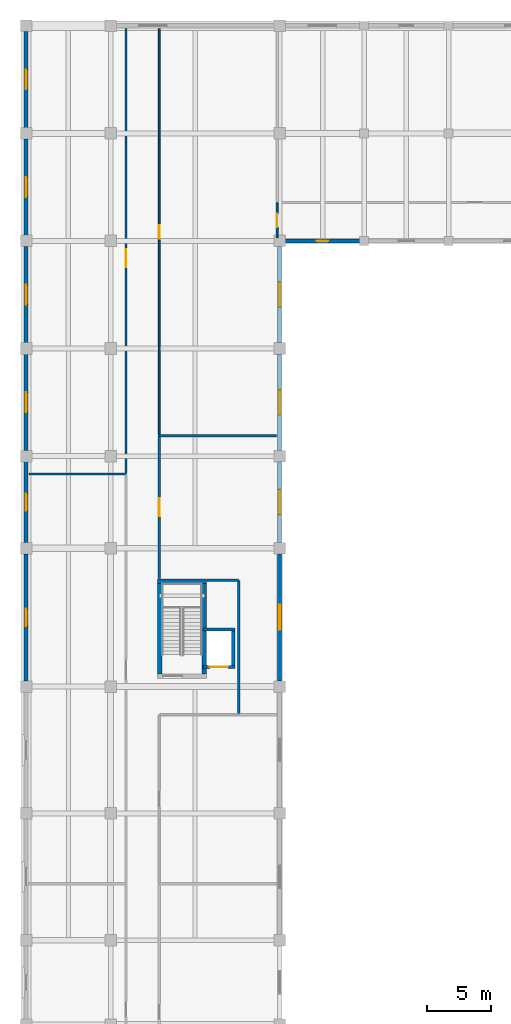
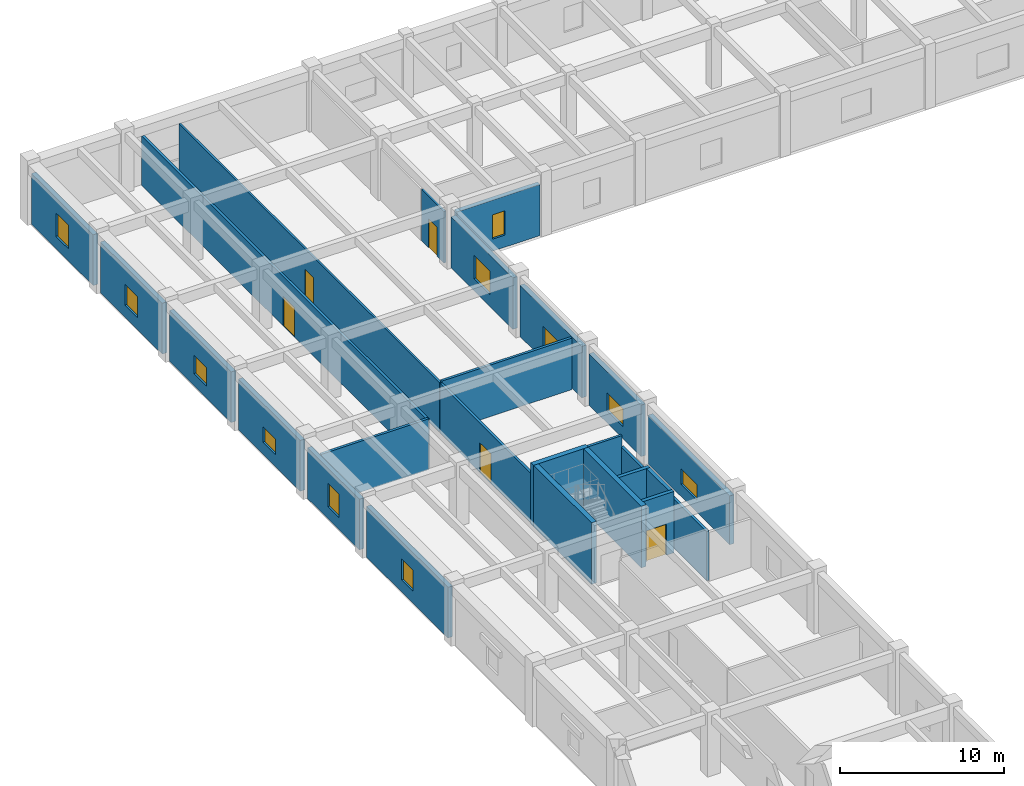
# One storey, part 52 of 68: 25 walls, 11 windows, 5 doors, 16 openings.
"""IFC4 building model written with IfcOpenShell, lengths in metres."""

from ifc_helpers import new_model, si_unit, direction, frame, frame_2d, origin, place, context, subcontext, project, spatial, rectangle, extrude, material, layer, layer_set, type_object, element, fill, save


model = new_model("IFC4")

# Units and contexts
model_context = context("Model", 3, precision=1e-05, world=origin(), true_north=direction((0.0, 1.0)))
body_context = subcontext(model_context, "Body", "Model", "MODEL_VIEW")
ifc_project = project(units=[si_unit("LENGTHUNIT", "METRE"), si_unit("AREAUNIT", "SQUARE_METRE"), si_unit("VOLUMEUNIT", "CUBIC_METRE"), si_unit("PLANEANGLEUNIT", "RADIAN"), si_unit("MASSUNIT", "GRAM", prefix="KILO")], contexts=[model_context])

# Site, building, storey
site_placement = place(None, origin())
site = spatial("IfcSite", under=ifc_project, at=site_placement, CompositionType="ELEMENT")
building_placement = place(site_placement, origin())
building = spatial("IfcBuilding", under=site, at=building_placement, Name="Miralva Faculty of Natural Sciences", CompositionType="ELEMENT")
storey_placement = place(building_placement, frame((0.0, 0.0, 5.39990234375)))
storey = spatial("IfcBuildingStorey", under=building, at=storey_placement, Name="L01", CompositionType="ELEMENT", Elevation=5.39990234375)

# Walls
ifc_material_1 = material(Name="Concrete C50/60", Category="concrete")
ifc_layer_1 = layer(ifc_material_1, 0.35009765625, Name="WL-CW02")
ifc_layer_set_1 = layer_set([ifc_layer_1], Name="Concrete C50/60")
wall_type_1 = type_object("IfcWallType", Name="WL-CW02", PredefinedType="SHEAR", material=ifc_layer_set_1)
wall_1_placement = place(storey_placement, frame((13.25, 73.625, 0.0), z_axis=(0.0, 0.0, 1.0), x_axis=(1.0, 0.0, 0.0)))
element("IfcWall", 1, at=wall_1_placement, inside=storey, type_object=wall_type_1, Name="Core C2 shear wall north L01", PredefinedType="SHEAR", context=body_context, shape_type="SweptSolid", body=[
    extrude(rectangle(XDim=3.85009765625, YDim=0.35009765625, at=frame_2d((1.925048828125, 0.0))), origin(), (0.0, 0.0, 1.0), 4.580078125),
])
for number, where, z_axis, x_axis, name in (
    (2, (13.425048828125, 66.39990234375, 0.0), (0.0, 0.0, 1.0), (0.0, 1.0, 0.0), "Core C2 shear wall west L01"),
    (3, (16.925048828125, 66.39990234375, 0.0), (0.0, 0.0, 1.0), (0.0, 1.0, 0.0), "Core C2 shear wall east L01"),
):
    element("IfcWall", number, at=place(storey_placement, frame(where, z_axis=z_axis, x_axis=x_axis)), inside=storey, type_object=wall_type_1, Name=name, PredefinedType="SHEAR", context=body_context, shape_type="SweptSolid", body=[
        extrude(rectangle(XDim=7.050048828125, YDim=0.35009765625, at=frame_2d((3.52490234375, 0.0))), origin(), (0.0, 0.0, 1.0), 4.580078125),
    ])

# Wall, opening, door
ifc_material_2 = material(Name="Concrete C40/50", Category="concrete")
ifc_layer_2 = layer(ifc_material_2, 0.25, Name="WL-CW04")
ifc_layer_set_2 = layer_set([ifc_layer_2], Name="Concrete C40/50")
wall_type_2 = type_object("IfcWallType", Name="WL-CW04", PredefinedType="SHEAR", material=ifc_layer_set_2)
wall_2_placement = place(storey_placement, frame((16.804931640625, 66.929931640625, 0.0), z_axis=(0.0, 0.0, 1.0), x_axis=(1.0, 0.0, 0.0)))
wall_2 = element("IfcWall", 4, at=wall_2_placement, inside=storey, type_object=wall_type_2, Name="Lift L-04 hoistway front wall L01", PredefinedType="SHEAR", context=body_context, shape_type="SweptSolid", body=[
    extrude(rectangle(XDim=2.489990234375, YDim=0.25, at=frame_2d((1.2451171875, 0.0))), origin(), (0.0, 0.0, 1.0), 4.56005859375),
])
opening_1_placement = place(wall_2_placement, frame((0.544921875, 0.0, 0.0)))
opening_1 = element("IfcOpeningElement", 5, at=opening_1_placement, cuts=wall_2, Name="Opening LD-04", PredefinedType="OPENING", context=body_context, shape_type="SweptSolid", body=[
    extrude(rectangle(XDim=1.39990234375, YDim=2.300048828125, at=frame_2d((0.699951171875, 1.14990234375))), frame((0.0, 0.135009765625, 0.0), z_axis=(0.0, -1.0, 0.0), x_axis=(1.0, 0.0, 0.0)), (0.0, 0.0, 1.0), 0.27001953125),
])
ifc_material_3 = material(Name="Galvanised steel", Category="steel")
door_type_1 = type_object("IfcDoorType", Name="DR-LD04", OperationType="DOUBLE_DOOR_SLIDING", PredefinedType="DOOR", material=ifc_material_3)
door_1_placement = place(opening_1_placement, frame((1.39990234375, 0.0, 0.0), z_axis=(0.0, 0.0, 1.0), x_axis=(-1.0, 0.0, 0.0)))
door_1 = element("IfcDoor", 6, at=door_1_placement, inside=storey, type_object=door_type_1, Name="Lift L-04 sliding landing door L01", OperationType="DOUBLE_DOOR_SLIDING", OverallHeight=2.300048828125, OverallWidth=1.39990234375, PredefinedType="DOOR", context=body_context, shape_type="SweptSolid", body=[
    extrude(rectangle(XDim=1.39990234375, YDim=2.300048828125, at=frame_2d((0.699951171875, 1.14990234375))), frame((0.0, 0.02490234375, 0.0), z_axis=(0.0, -1.0, 0.0), x_axis=(1.0, 0.0, 0.0)), (0.0, 0.0, 1.0), 0.050048828125),
])
fill(opening_1, door_1)

# Walls
wall_3_placement = place(storey_placement, frame((16.804931640625, 69.8701171875, 0.0), z_axis=(0.0, 0.0, 1.0), x_axis=(1.0, 0.0, 0.0)))
element("IfcWall", 7, at=wall_3_placement, inside=storey, type_object=wall_type_2, Name="Lift L-04 hoistway rear wall L01", PredefinedType="SHEAR", context=body_context, shape_type="SweptSolid", body=[
    extrude(rectangle(XDim=2.489990234375, YDim=0.25, at=frame_2d((1.2451171875, 0.0))), origin(), (0.0, 0.0, 1.0), 4.56005859375),
])
wall_4_placement = place(storey_placement, frame((19.169921875, 67.054931640625, 0.0), z_axis=(0.0, 0.0, 1.0), x_axis=(0.0, 1.0, 0.0)))
element("IfcWall", 8, at=wall_4_placement, inside=storey, type_object=wall_type_2, Name="Lift L-04 hoistway E wall L01", PredefinedType="SHEAR", context=body_context, shape_type="SweptSolid", body=[
    extrude(rectangle(XDim=2.690185546875, YDim=0.25, at=frame_2d((1.34521484375, 0.0))), origin(), (0.0, 0.0, 1.0), 4.56005859375),
])
ifc_material_4 = material(Name="Gypsum plasterboard")
ifc_layer_3 = layer(ifc_material_4, 0.179931640625, Name="WL-PT02")
ifc_layer_set_3 = layer_set([ifc_layer_3], Name="Gypsum plasterboard")
wall_type_3 = type_object("IfcWallType", Name="WL-PT02", PredefinedType="PARTITIONING", material=ifc_layer_set_3)
wall_5_placement = place(storey_placement, frame((3.22998046875, 82.0, 0.0), z_axis=(0.0, 0.0, 1.0), x_axis=(1.0, 0.0, 0.0)))
element("IfcWall", 9, at=wall_5_placement, inside=storey, type_object=wall_type_3, Name="Interior partition PT-02 L01-224", PredefinedType="PARTITIONING", context=body_context, shape_type="SweptSolid", body=[
    extrude(rectangle(XDim=7.5400390625, YDim=0.179931640625, at=frame_2d((3.77001953125, 0.0))), origin(), (0.0, 0.0, 1.0), 3.775146484375),
])
wall_6_placement = place(storey_placement, frame((13.429931640625, 85.0, 0.0), z_axis=(0.0, 0.0, 1.0), x_axis=(1.0, 0.0, 0.0)))
element("IfcWall", 10, at=wall_6_placement, inside=storey, type_object=wall_type_3, Name="Interior partition PT-02 L01-226", PredefinedType="PARTITIONING", context=body_context, shape_type="SweptSolid", body=[
    extrude(rectangle(XDim=9.14013671875, YDim=0.179931640625, at=frame_2d((4.570068359375, 0.0))), origin(), (0.0, 0.0, 1.0), 3.8251953125),
])

# Wall, opening, door
wall_7_placement = place(storey_placement, frame((13.39990234375, 73.853271484375, 0.0), z_axis=(0.0, 0.0, 1.0), x_axis=(0.0, 1.0, 0.0)))
wall_7 = element("IfcWall", 11, at=wall_7_placement, inside=storey, type_object=wall_type_3, Name="Interior partition PT-02 L01-227", PredefinedType="PARTITIONING", context=body_context, shape_type="SweptSolid", body=[
    extrude(rectangle(XDim=11.11669921875, YDim=0.179931640625, at=frame_2d((5.558349609375, 0.0))), origin(), (0.0, 0.0, 1.0), 3.675048828125),
])
opening_2_placement = place(wall_7_placement, frame((4.8583984375, 0.0, 0.0)))
opening_2 = element("IfcOpeningElement", 12, at=opening_2_placement, cuts=wall_7, Name="Opening D-14", PredefinedType="OPENING", context=body_context, shape_type="SweptSolid", body=[
    extrude(rectangle(XDim=1.39990234375, YDim=2.199951171875, at=frame_2d((0.699951171875, 1.10009765625))), frame((0.0, 0.099853515625, 0.0), z_axis=(0.0, -1.0, 0.0), x_axis=(1.0, 0.0, 0.0)), (0.0, 0.0, 1.0), 0.199951171875),
])
door_type_2 = type_object("IfcDoorType", Name="DR-DI14", OperationType="DOUBLE_DOOR_SINGLE_SWING", PredefinedType="DOOR", material=ifc_material_3)
door_2_placement = place(opening_2_placement, origin())
door_2 = element("IfcDoor", 13, at=door_2_placement, inside=storey, type_object=door_type_2, Name="Interior door D-14 L01-85", OperationType="DOUBLE_DOOR_SINGLE_SWING", OverallHeight=2.199951171875, OverallWidth=1.39990234375, PredefinedType="DOOR", context=body_context, shape_type="SweptSolid", body=[
    extrude(rectangle(XDim=1.39990234375, YDim=2.199951171875, at=frame_2d((0.699951171875, 1.10009765625))), frame((0.0, 0.02490234375, 0.0), z_axis=(0.0, -1.0, 0.0), x_axis=(1.0, 0.0, 0.0)), (0.0, 0.0, 1.0), 0.050048828125),
])
fill(opening_2, door_2)

# Walls
wall_8_placement = place(storey_placement, frame((19.60009765625, 63.22998046875, 0.0), z_axis=(0.0, 0.0, 1.0), x_axis=(0.0, 1.0, 0.0)))
element("IfcWall", 14, at=wall_8_placement, inside=storey, type_object=wall_type_3, Name="Interior partition PT-02 L01-228", PredefinedType="PARTITIONING", context=body_context, shape_type="SweptSolid", body=[
    extrude(rectangle(XDim=10.43994140625, YDim=0.179931640625, at=frame_2d((5.219970703125, 0.0))), origin(), (0.0, 0.0, 1.0), 3.655029296875),
])
wall_9_placement = place(storey_placement, frame((17.140380859375, 73.699951171875, 0.0), z_axis=(0.0, 0.0, 1.0), x_axis=(1.0, 0.0, 0.0)))
element("IfcWall", 15, at=wall_9_placement, inside=storey, type_object=wall_type_3, Name="Interior partition PT-02 L01-229", PredefinedType="PARTITIONING", context=body_context, shape_type="SweptSolid", body=[
    extrude(rectangle(XDim=2.4296875, YDim=0.179931640625, at=frame_2d((1.21484375, 0.0))), origin(), (0.0, 0.0, 1.0), 4.47998046875),
])

# Wall, opening, door
wall_10_placement = place(storey_placement, frame((10.800048828125, 82.030029296875, 0.0), z_axis=(0.0, 0.0, 1.0), x_axis=(0.0, 1.0, 0.0)))
wall_10 = element("IfcWall", 16, at=wall_10_placement, inside=storey, type_object=wall_type_3, Name="Interior partition PT-02 L01-230", PredefinedType="PARTITIONING", context=body_context, shape_type="SweptSolid", body=[
    extrude(rectangle(XDim=34.739990234375, YDim=0.179931640625, at=frame_2d((17.3701171875, 0.0))), origin(), (0.0, 0.0, 1.0), 3.675048828125),
])
opening_3_placement = place(wall_10_placement, frame((16.1298828125, 0.0, 0.0)))
opening_3 = element("IfcOpeningElement", 17, at=opening_3_placement, cuts=wall_10, Name="Opening D-14", PredefinedType="OPENING", context=body_context, shape_type="SweptSolid", body=[
    extrude(rectangle(XDim=1.39990234375, YDim=2.199951171875, at=frame_2d((0.699951171875, 1.10009765625))), frame((0.0, 0.099853515625, 0.0), z_axis=(0.0, -1.0, 0.0), x_axis=(1.0, 0.0, 0.0)), (0.0, 0.0, 1.0), 0.199951171875),
])
door_3_placement = place(opening_3_placement, origin())
door_3 = element("IfcDoor", 18, at=door_3_placement, inside=storey, type_object=door_type_2, Name="Interior door D-14 L01-86", OperationType="DOUBLE_DOOR_SINGLE_SWING", OverallHeight=2.199951171875, OverallWidth=1.39990234375, PredefinedType="DOOR", context=body_context, shape_type="SweptSolid", body=[
    extrude(rectangle(XDim=1.39990234375, YDim=2.199951171875, at=frame_2d((0.699951171875, 1.10009765625))), frame((0.0, 0.02490234375, 0.0), z_axis=(0.0, -1.0, 0.0), x_axis=(1.0, 0.0, 0.0)), (0.0, 0.0, 1.0), 0.050048828125),
])
fill(opening_3, door_3)

ifc_layer_4 = layer(ifc_material_4, 0.139892578125, Name="WL-PT04")
ifc_layer_set_4 = layer_set([ifc_layer_4], Name="Gypsum plasterboard")
wall_type_4 = type_object("IfcWallType", Name="WL-PT04", PredefinedType="PARTITIONING", material=ifc_layer_set_4)
wall_11_placement = place(storey_placement, frame((13.39990234375, 85.030029296875, 0.0), z_axis=(0.0, 0.0, 1.0), x_axis=(0.0, 1.0, 0.0)))
wall_11 = element("IfcWall", 19, at=wall_11_placement, inside=storey, type_object=wall_type_4, Name="Interior partition PT-04 L01-231", PredefinedType="PARTITIONING", context=body_context, shape_type="SweptSolid", body=[
    extrude(rectangle(XDim=31.739990234375, YDim=0.139892578125, at=frame_2d((15.8701171875, 0.0))), origin(), (0.0, 0.0, 1.0), 3.675048828125),
])
opening_4_placement = place(wall_11_placement, frame((15.330078125, 0.0, 0.0)))
opening_4 = element("IfcOpeningElement", 20, at=opening_4_placement, cuts=wall_11, Name="Opening D-32", PredefinedType="OPENING", context=body_context, shape_type="SweptSolid", body=[
    extrude(rectangle(XDim=1.080078125, YDim=2.14990234375, at=frame_2d((0.5400390625, 1.074951171875))), frame((0.0, 0.079833984375, 0.0), z_axis=(0.0, -1.0, 0.0), x_axis=(1.0, 0.0, 0.0)), (0.0, 0.0, 1.0), 0.159912109375),
])
ifc_material_5 = material(Name="Anodised aluminium", Category="aluminium")
door_type_3 = type_object("IfcDoorType", Name="DR-DI32", OperationType="NOTDEFINED", PredefinedType="DOOR", material=ifc_material_5)
door_4_placement = place(opening_4_placement, origin())
door_4 = element("IfcDoor", 21, at=door_4_placement, inside=storey, type_object=door_type_3, Name="Interior door D-32 L01-87", OperationType="SINGLE_SWING_RIGHT", OverallHeight=2.14990234375, OverallWidth=1.080078125, PredefinedType="DOOR", context=body_context, shape_type="SweptSolid", body=[
    extrude(rectangle(XDim=1.080078125, YDim=2.14990234375, at=frame_2d((0.5400390625, 1.074951171875))), frame((0.0, 0.02490234375, 0.0), z_axis=(0.0, -1.0, 0.0), x_axis=(1.0, 0.0, 0.0)), (0.0, 0.0, 1.0), 0.050048828125),
])
fill(opening_4, door_4)

wall_12_placement = place(storey_placement, frame((22.60009765625, 100.429931640625, 0.0), z_axis=(0.0, 0.0, 1.0), x_axis=(0.0, 1.0, 0.0)))
wall_12 = element("IfcWall", 22, at=wall_12_placement, inside=storey, type_object=wall_type_4, Name="Interior partition PT-04 L01-233", PredefinedType="PARTITIONING", context=body_context, shape_type="SweptSolid", body=[
    extrude(rectangle(XDim=2.739990234375, YDim=0.139892578125, at=frame_2d((1.3701171875, 0.0))), origin(), (0.0, 0.0, 1.0), 3.8251953125),
])
opening_5_placement = place(wall_12_placement, frame((0.830078125, 0.0, 0.0)))
opening_5 = element("IfcOpeningElement", 23, at=opening_5_placement, cuts=wall_12, Name="Opening D-32", PredefinedType="OPENING", context=body_context, shape_type="SweptSolid", body=[
    extrude(rectangle(XDim=1.080078125, YDim=2.14990234375, at=frame_2d((0.5400390625, 1.074951171875))), frame((0.0, 0.079833984375, 0.0), z_axis=(0.0, -1.0, 0.0), x_axis=(1.0, 0.0, 0.0)), (0.0, 0.0, 1.0), 0.159912109375),
])
door_5_placement = place(opening_5_placement, origin())
door_5 = element("IfcDoor", 24, at=door_5_placement, inside=storey, type_object=door_type_3, Name="Interior door D-32 L01-88", OperationType="SINGLE_SWING_LEFT", OverallHeight=2.14990234375, OverallWidth=1.080078125, PredefinedType="DOOR", context=body_context, shape_type="SweptSolid", body=[
    extrude(rectangle(XDim=1.080078125, YDim=2.14990234375, at=frame_2d((0.5400390625, 1.074951171875))), frame((0.0, 0.02490234375, 0.0), z_axis=(0.0, -1.0, 0.0), x_axis=(1.0, 0.0, 0.0)), (0.0, 0.0, 1.0), 0.050048828125),
])
fill(opening_5, door_5)

# Wall, opening, window
ifc_material_6 = material(Name="Precast concrete C40/50", Category="concrete")
ifc_layer_5 = layer(ifc_material_6, 0.320068359375, Name="WL-WT02")
ifc_layer_set_5 = layer_set([ifc_layer_5], Name="Precast concrete C40/50")
wall_type_5 = type_object("IfcWallType", Name="WL-WT02", PredefinedType="SOLIDWALL", material=ifc_layer_set_5)
wall_13_placement = place(storey_placement, frame((3.0, 65.8349609375, 0.0), z_axis=(0.0, 0.0, 1.0), x_axis=(0.0, 1.0, 0.0)))
wall_13 = element("IfcWall", 25, at=wall_13_placement, inside=storey, type_object=wall_type_5, Name="Exterior wall L01-181", PredefinedType="SOLIDWALL", context=body_context, shape_type="SweptSolid", body=[
    extrude(rectangle(XDim=9.929931640625, YDim=0.320068359375, at=frame_2d((4.96484375, 0.0))), origin(), (0.0, 0.0, 1.0), 3.775146484375),
])
opening_6_placement = place(wall_13_placement, frame((4.2900390625, 0.0, 0.89990234375)))
opening_6 = element("IfcOpeningElement", 26, at=opening_6_placement, cuts=wall_13, Name="Opening W-55", PredefinedType="OPENING", context=body_context, shape_type="SweptSolid", body=[
    extrude(rectangle(XDim=1.35009765625, YDim=1.550048828125, at=frame_2d((0.675048828125, 0.77490234375))), frame((0.0, 0.169921875, 0.0), z_axis=(0.0, -1.0, 0.0), x_axis=(1.0, 0.0, 0.0)), (0.0, 0.0, 1.0), 0.340087890625),
])
ifc_material_7 = material(Name="Laminated solar-control glass", Category="glass")
window_type_1 = type_object("IfcWindowType", Name="WN-W55", PartitioningType="DOUBLE_PANEL_VERTICAL", PredefinedType="WINDOW", material=ifc_material_7)
window_1_placement = place(opening_6_placement, origin())
window_1 = element("IfcWindow", 27, at=window_1_placement, inside=storey, type_object=window_type_1, Name="Window W-55 L01-118", OverallHeight=1.550048828125, OverallWidth=1.35009765625, PartitioningType="DOUBLE_PANEL_VERTICAL", PredefinedType="WINDOW", context=body_context, shape_type="SweptSolid", body=[
    extrude(rectangle(XDim=1.35009765625, YDim=1.550048828125, at=frame_2d((0.675048828125, 0.77490234375))), frame((0.0, 0.030029296875, 0.0), z_axis=(0.0, -1.0, 0.0), x_axis=(1.0, 0.0, 0.0)), (0.0, 0.0, 1.0), 0.06005859375),
])
fill(opening_6, window_1)

wall_14_placement = place(storey_placement, frame((3.0, 76.635009765625, 0.0), z_axis=(0.0, 0.0, 1.0), x_axis=(0.0, 1.0, 0.0)))
wall_14 = element("IfcWall", 28, at=wall_14_placement, inside=storey, type_object=wall_type_5, Name="Exterior wall L01-182", PredefinedType="SOLIDWALL", context=body_context, shape_type="SweptSolid", body=[
    extrude(rectangle(XDim=6.330078125, YDim=0.320068359375, at=frame_2d((3.1650390625, 0.0))), origin(), (0.0, 0.0, 1.0), 3.775146484375),
])
opening_7_placement = place(wall_14_placement, frame((2.489990234375, 0.0, 0.89990234375)))
opening_7 = element("IfcOpeningElement", 29, at=opening_7_placement, cuts=wall_14, Name="Opening W-56", PredefinedType="OPENING", context=body_context, shape_type="SweptSolid", body=[
    extrude(rectangle(XDim=1.35009765625, YDim=1.75, at=frame_2d((0.675048828125, 0.875))), frame((0.0, 0.169921875, 0.0), z_axis=(0.0, -1.0, 0.0), x_axis=(1.0, 0.0, 0.0)), (0.0, 0.0, 1.0), 0.340087890625),
])
window_type_2 = type_object("IfcWindowType", Name="WN-W56", PartitioningType="DOUBLE_PANEL_VERTICAL", PredefinedType="WINDOW", material=ifc_material_7)
window_2_placement = place(opening_7_placement, origin())
window_2 = element("IfcWindow", 30, at=window_2_placement, inside=storey, type_object=window_type_2, Name="Window W-56 L01-119", OverallHeight=1.75, OverallWidth=1.35009765625, PartitioningType="DOUBLE_PANEL_VERTICAL", PredefinedType="WINDOW", context=body_context, shape_type="SweptSolid", body=[
    extrude(rectangle(XDim=1.35009765625, YDim=1.75, at=frame_2d((0.675048828125, 0.875))), frame((0.0, 0.030029296875, 0.0), z_axis=(0.0, -1.0, 0.0), x_axis=(1.0, 0.0, 0.0)), (0.0, 0.0, 1.0), 0.06005859375),
])
fill(opening_7, window_2)

wall_15_placement = place(storey_placement, frame((3.0, 83.8349609375, 0.0), z_axis=(0.0, 0.0, 1.0), x_axis=(0.0, 1.0, 0.0)))
wall_15 = element("IfcWall", 31, at=wall_15_placement, inside=storey, type_object=wall_type_5, Name="Exterior wall L01-183", PredefinedType="SOLIDWALL", context=body_context, shape_type="SweptSolid", body=[
    extrude(rectangle(XDim=7.530029296875, YDim=0.320068359375, at=frame_2d((3.76513671875, 0.0))), origin(), (0.0, 0.0, 1.0), 3.775146484375),
])
opening_8_placement = place(wall_15_placement, frame((2.989990234375, 0.0, 0.89990234375)))
opening_8 = element("IfcOpeningElement", 32, at=opening_8_placement, cuts=wall_15, Name="Opening W-57", PredefinedType="OPENING", context=body_context, shape_type="SweptSolid", body=[
    extrude(rectangle(XDim=1.550048828125, YDim=1.14990234375, at=frame_2d((0.77490234375, 0.574951171875))), frame((0.0, 0.169921875, 0.0), z_axis=(0.0, -1.0, 0.0), x_axis=(1.0, 0.0, 0.0)), (0.0, 0.0, 1.0), 0.340087890625),
])
window_type_3 = type_object("IfcWindowType", Name="WN-W57", PartitioningType="DOUBLE_PANEL_VERTICAL", PredefinedType="WINDOW", material=ifc_material_7)
window_3_placement = place(opening_8_placement, origin())
window_3 = element("IfcWindow", 33, at=window_3_placement, inside=storey, type_object=window_type_3, Name="Window W-57 L01-120", OverallHeight=1.14990234375, OverallWidth=1.550048828125, PartitioningType="DOUBLE_PANEL_VERTICAL", PredefinedType="WINDOW", context=body_context, shape_type="SweptSolid", body=[
    extrude(rectangle(XDim=1.550048828125, YDim=1.14990234375, at=frame_2d((0.77490234375, 0.574951171875))), frame((0.0, 0.030029296875, 0.0), z_axis=(0.0, -1.0, 0.0), x_axis=(1.0, 0.0, 0.0)), (0.0, 0.0, 1.0), 0.06005859375),
])
fill(opening_8, window_3)

wall_16_placement = place(storey_placement, frame((3.0, 92.235107421875, 0.0), z_axis=(0.0, 0.0, 1.0), x_axis=(0.0, 1.0, 0.0)))
wall_16 = element("IfcWall", 34, at=wall_16_placement, inside=storey, type_object=wall_type_5, Name="Exterior wall L01-184", PredefinedType="SOLIDWALL", context=body_context, shape_type="SweptSolid", body=[
    extrude(rectangle(XDim=7.52978515625, YDim=0.320068359375, at=frame_2d((3.764892578125, 0.0))), origin(), (0.0, 0.0, 1.0), 3.775146484375),
])
opening_9_placement = place(wall_16_placement, frame((2.989990234375, 0.0, 0.89990234375)))
opening_9 = element("IfcOpeningElement", 35, at=opening_9_placement, cuts=wall_16, Name="Opening W-58", PredefinedType="OPENING", context=body_context, shape_type="SweptSolid", body=[
    extrude(rectangle(XDim=1.550048828125, YDim=1.35009765625, at=frame_2d((0.77490234375, 0.675048828125))), frame((0.0, 0.169921875, 0.0), z_axis=(0.0, -1.0, 0.0), x_axis=(1.0, 0.0, 0.0)), (0.0, 0.0, 1.0), 0.340087890625),
])
window_type_4 = type_object("IfcWindowType", Name="WN-W58", PartitioningType="DOUBLE_PANEL_VERTICAL", PredefinedType="WINDOW", material=ifc_material_7)
window_4_placement = place(opening_9_placement, origin())
window_4 = element("IfcWindow", 36, at=window_4_placement, inside=storey, type_object=window_type_4, Name="Window W-58 L01-121", OverallHeight=1.35009765625, OverallWidth=1.550048828125, PartitioningType="DOUBLE_PANEL_VERTICAL", PredefinedType="WINDOW", context=body_context, shape_type="SweptSolid", body=[
    extrude(rectangle(XDim=1.550048828125, YDim=1.35009765625, at=frame_2d((0.77490234375, 0.675048828125))), frame((0.0, 0.030029296875, 0.0), z_axis=(0.0, -1.0, 0.0), x_axis=(1.0, 0.0, 0.0)), (0.0, 0.0, 1.0), 0.06005859375),
])
fill(opening_9, window_4)

wall_17_placement = place(storey_placement, frame((3.0, 100.635009765625, 0.0), z_axis=(0.0, 0.0, 1.0), x_axis=(0.0, 1.0, 0.0)))
wall_17 = element("IfcWall", 37, at=wall_17_placement, inside=storey, type_object=wall_type_5, Name="Exterior wall L01-185", PredefinedType="SOLIDWALL", context=body_context, shape_type="SweptSolid", body=[
    extrude(rectangle(XDim=7.530029296875, YDim=0.320068359375, at=frame_2d((3.76513671875, 0.0))), origin(), (0.0, 0.0, 1.0), 3.775146484375),
])
opening_10_placement = place(wall_17_placement, frame((2.989990234375, 0.0, 0.89990234375)))
opening_10 = element("IfcOpeningElement", 38, at=opening_10_placement, cuts=wall_17, Name="Opening W-59", PredefinedType="OPENING", context=body_context, shape_type="SweptSolid", body=[
    extrude(rectangle(XDim=1.550048828125, YDim=1.550048828125, at=frame_2d((0.77490234375, 0.77490234375))), frame((0.0, 0.169921875, 0.0), z_axis=(0.0, -1.0, 0.0), x_axis=(1.0, 0.0, 0.0)), (0.0, 0.0, 1.0), 0.340087890625),
])
window_type_5 = type_object("IfcWindowType", Name="WN-W59", PartitioningType="DOUBLE_PANEL_VERTICAL", PredefinedType="WINDOW", material=ifc_material_7)
window_5_placement = place(opening_10_placement, origin())
window_5 = element("IfcWindow", 39, at=window_5_placement, inside=storey, type_object=window_type_5, Name="Window W-59 L01-122", OverallHeight=1.550048828125, OverallWidth=1.550048828125, PartitioningType="DOUBLE_PANEL_VERTICAL", PredefinedType="WINDOW", context=body_context, shape_type="SweptSolid", body=[
    extrude(rectangle(XDim=1.550048828125, YDim=1.550048828125, at=frame_2d((0.77490234375, 0.77490234375))), frame((0.0, 0.030029296875, 0.0), z_axis=(0.0, -1.0, 0.0), x_axis=(1.0, 0.0, 0.0)), (0.0, 0.0, 1.0), 0.06005859375),
])
fill(opening_10, window_5)

wall_18_placement = place(storey_placement, frame((3.0, 109.034912109375, 0.0), z_axis=(0.0, 0.0, 1.0), x_axis=(0.0, 1.0, 0.0)))
wall_18 = element("IfcWall", 40, at=wall_18_placement, inside=storey, type_object=wall_type_5, Name="Exterior wall L01-186", PredefinedType="SOLIDWALL", context=body_context, shape_type="SweptSolid", body=[
    extrude(rectangle(XDim=7.530029296875, YDim=0.320068359375, at=frame_2d((3.76513671875, 0.0))), origin(), (0.0, 0.0, 1.0), 3.775146484375),
])
opening_11_placement = place(wall_18_placement, frame((2.989990234375, 0.0, 0.89990234375)))
opening_11 = element("IfcOpeningElement", 41, at=opening_11_placement, cuts=wall_18, Name="Opening W-60", PredefinedType="OPENING", context=body_context, shape_type="SweptSolid", body=[
    extrude(rectangle(XDim=1.550048828125, YDim=1.75, at=frame_2d((0.77490234375, 0.875))), frame((0.0, 0.169921875, 0.0), z_axis=(0.0, -1.0, 0.0), x_axis=(1.0, 0.0, 0.0)), (0.0, 0.0, 1.0), 0.340087890625),
])
window_type_6 = type_object("IfcWindowType", Name="WN-W60", PartitioningType="DOUBLE_PANEL_VERTICAL", PredefinedType="WINDOW", material=ifc_material_7)
window_6_placement = place(opening_11_placement, origin())
window_6 = element("IfcWindow", 42, at=window_6_placement, inside=storey, type_object=window_type_6, Name="Window W-60 L01-123", OverallHeight=1.75, OverallWidth=1.550048828125, PartitioningType="DOUBLE_PANEL_VERTICAL", PredefinedType="WINDOW", context=body_context, shape_type="SweptSolid", body=[
    extrude(rectangle(XDim=1.550048828125, YDim=1.75, at=frame_2d((0.77490234375, 0.875))), frame((0.0, 0.030029296875, 0.0), z_axis=(0.0, -1.0, 0.0), x_axis=(1.0, 0.0, 0.0)), (0.0, 0.0, 1.0), 0.06005859375),
])
fill(opening_11, window_6)

wall_19_placement = place(storey_placement, frame((22.800048828125, 65.8349609375, 0.0), z_axis=(0.0, 0.0, 1.0), x_axis=(0.0, 1.0, 0.0)))
wall_19 = element("IfcWall", 43, at=wall_19_placement, inside=storey, type_object=wall_type_5, Name="Exterior wall L01-191", PredefinedType="SOLIDWALL", context=body_context, shape_type="SweptSolid", body=[
    extrude(rectangle(XDim=9.929931640625, YDim=0.320068359375, at=frame_2d((4.96484375, 0.0))), origin(), (0.0, 0.0, 1.0), 3.625),
])
opening_12_placement = place(wall_19_placement, frame((3.989990234375, 0.0, 0.89990234375)))
opening_12 = element("IfcOpeningElement", 44, at=opening_12_placement, cuts=wall_19, Name="Opening W-65", PredefinedType="OPENING", context=body_context, shape_type="SweptSolid", body=[
    extrude(rectangle(XDim=1.949951171875, YDim=1.14990234375, at=frame_2d((0.97509765625, 0.574951171875))), frame((0.0, 0.169921875, 0.0), z_axis=(0.0, -1.0, 0.0), x_axis=(1.0, 0.0, 0.0)), (0.0, 0.0, 1.0), 0.340087890625),
])
window_type_7 = type_object("IfcWindowType", Name="WN-W65", PartitioningType="DOUBLE_PANEL_VERTICAL", PredefinedType="WINDOW", material=ifc_material_7)
window_7_placement = place(opening_12_placement, frame((1.949951171875, 0.0, 0.0), z_axis=(0.0, 0.0, 1.0), x_axis=(-1.0, 0.0, 0.0)))
window_7 = element("IfcWindow", 45, at=window_7_placement, inside=storey, type_object=window_type_7, Name="Window W-65 L01-128", OverallHeight=1.14990234375, OverallWidth=1.949951171875, PartitioningType="DOUBLE_PANEL_VERTICAL", PredefinedType="WINDOW", context=body_context, shape_type="SweptSolid", body=[
    extrude(rectangle(XDim=1.949951171875, YDim=1.14990234375, at=frame_2d((0.97509765625, 0.574951171875))), frame((0.0, 0.030029296875, 0.0), z_axis=(0.0, -1.0, 0.0), x_axis=(1.0, 0.0, 0.0)), (0.0, 0.0, 1.0), 0.06005859375),
])
fill(opening_12, window_7)

wall_20_placement = place(storey_placement, frame((22.800048828125, 76.635009765625, 0.0), z_axis=(0.0, 0.0, 1.0), x_axis=(0.0, 1.0, 0.0)))
wall_20 = element("IfcWall", 46, at=wall_20_placement, inside=storey, type_object=wall_type_5, Name="Exterior wall L01-192", PredefinedType="SOLIDWALL", context=body_context, shape_type="SweptSolid", body=[
    extrude(rectangle(XDim=6.330078125, YDim=0.320068359375, at=frame_2d((3.1650390625, 0.0))), origin(), (0.0, 0.0, 1.0), 3.8251953125),
])
opening_13_placement = place(wall_20_placement, frame((2.18994140625, 0.0, 0.89990234375)))
opening_13 = element("IfcOpeningElement", 47, at=opening_13_placement, cuts=wall_20, Name="Opening W-66", PredefinedType="OPENING", context=body_context, shape_type="SweptSolid", body=[
    extrude(rectangle(XDim=1.949951171875, YDim=1.35009765625, at=frame_2d((0.97509765625, 0.675048828125))), frame((0.0, 0.169921875, 0.0), z_axis=(0.0, -1.0, 0.0), x_axis=(1.0, 0.0, 0.0)), (0.0, 0.0, 1.0), 0.340087890625),
])
window_type_8 = type_object("IfcWindowType", Name="WN-W66", PartitioningType="DOUBLE_PANEL_VERTICAL", PredefinedType="WINDOW", material=ifc_material_7)
window_8_placement = place(opening_13_placement, frame((1.949951171875, 0.0, 0.0), z_axis=(0.0, 0.0, 1.0), x_axis=(-1.0, 0.0, 0.0)))
window_8 = element("IfcWindow", 48, at=window_8_placement, inside=storey, type_object=window_type_8, Name="Window W-66 L01-129", OverallHeight=1.35009765625, OverallWidth=1.949951171875, PartitioningType="DOUBLE_PANEL_VERTICAL", PredefinedType="WINDOW", context=body_context, shape_type="SweptSolid", body=[
    extrude(rectangle(XDim=1.949951171875, YDim=1.35009765625, at=frame_2d((0.97509765625, 0.675048828125))), frame((0.0, 0.030029296875, 0.0), z_axis=(0.0, -1.0, 0.0), x_axis=(1.0, 0.0, 0.0)), (0.0, 0.0, 1.0), 0.06005859375),
])
fill(opening_13, window_8)

wall_21_placement = place(storey_placement, frame((22.800048828125, 83.8349609375, 0.0), z_axis=(0.0, 0.0, 1.0), x_axis=(0.0, 1.0, 0.0)))
wall_21 = element("IfcWall", 49, at=wall_21_placement, inside=storey, type_object=wall_type_5, Name="Exterior wall L01-193", PredefinedType="SOLIDWALL", context=body_context, shape_type="SweptSolid", body=[
    extrude(rectangle(XDim=7.530029296875, YDim=0.320068359375, at=frame_2d((3.76513671875, 0.0))), origin(), (0.0, 0.0, 1.0), 3.8251953125),
])
opening_14_placement = place(wall_21_placement, frame((2.7900390625, 0.0, 0.89990234375)))
opening_14 = element("IfcOpeningElement", 50, at=opening_14_placement, cuts=wall_21, Name="Opening W-67", PredefinedType="OPENING", context=body_context, shape_type="SweptSolid", body=[
    extrude(rectangle(XDim=1.949951171875, YDim=1.550048828125, at=frame_2d((0.97509765625, 0.77490234375))), frame((0.0, 0.169921875, 0.0), z_axis=(0.0, -1.0, 0.0), x_axis=(1.0, 0.0, 0.0)), (0.0, 0.0, 1.0), 0.340087890625),
])
window_type_9 = type_object("IfcWindowType", Name="WN-W67", PartitioningType="DOUBLE_PANEL_VERTICAL", PredefinedType="WINDOW", material=ifc_material_7)
window_9_placement = place(opening_14_placement, frame((1.949951171875, 0.0, 0.0), z_axis=(0.0, 0.0, 1.0), x_axis=(-1.0, 0.0, 0.0)))
window_9 = element("IfcWindow", 51, at=window_9_placement, inside=storey, type_object=window_type_9, Name="Window W-67 L01-130", OverallHeight=1.550048828125, OverallWidth=1.949951171875, PartitioningType="DOUBLE_PANEL_VERTICAL", PredefinedType="WINDOW", context=body_context, shape_type="SweptSolid", body=[
    extrude(rectangle(XDim=1.949951171875, YDim=1.550048828125, at=frame_2d((0.97509765625, 0.77490234375))), frame((0.0, 0.030029296875, 0.0), z_axis=(0.0, -1.0, 0.0), x_axis=(1.0, 0.0, 0.0)), (0.0, 0.0, 1.0), 0.06005859375),
])
fill(opening_14, window_9)

wall_22_placement = place(storey_placement, frame((22.800048828125, 92.235107421875, 0.0), z_axis=(0.0, 0.0, 1.0), x_axis=(0.0, 1.0, 0.0)))
wall_22 = element("IfcWall", 52, at=wall_22_placement, inside=storey, type_object=wall_type_5, Name="Exterior wall L01-194", PredefinedType="SOLIDWALL", context=body_context, shape_type="SweptSolid", body=[
    extrude(rectangle(XDim=7.52978515625, YDim=0.320068359375, at=frame_2d((3.764892578125, 0.0))), origin(), (0.0, 0.0, 1.0), 3.8251953125),
])
opening_15_placement = place(wall_22_placement, frame((2.7900390625, 0.0, 0.89990234375)))
opening_15 = element("IfcOpeningElement", 53, at=opening_15_placement, cuts=wall_22, Name="Opening W-68", PredefinedType="OPENING", context=body_context, shape_type="SweptSolid", body=[
    extrude(rectangle(XDim=1.949951171875, YDim=1.75, at=frame_2d((0.97509765625, 0.875))), frame((0.0, 0.169921875, 0.0), z_axis=(0.0, -1.0, 0.0), x_axis=(1.0, 0.0, 0.0)), (0.0, 0.0, 1.0), 0.340087890625),
])
window_type_10 = type_object("IfcWindowType", Name="WN-W68", PartitioningType="DOUBLE_PANEL_VERTICAL", PredefinedType="WINDOW", material=ifc_material_7)
window_10_placement = place(opening_15_placement, frame((1.949951171875, 0.0, 0.0), z_axis=(0.0, 0.0, 1.0), x_axis=(-1.0, 0.0, 0.0)))
window_10 = element("IfcWindow", 54, at=window_10_placement, inside=storey, type_object=window_type_10, Name="Window W-68 L01-131", OverallHeight=1.75, OverallWidth=1.949951171875, PartitioningType="DOUBLE_PANEL_VERTICAL", PredefinedType="WINDOW", context=body_context, shape_type="SweptSolid", body=[
    extrude(rectangle(XDim=1.949951171875, YDim=1.75, at=frame_2d((0.97509765625, 0.875))), frame((0.0, 0.030029296875, 0.0), z_axis=(0.0, -1.0, 0.0), x_axis=(1.0, 0.0, 0.0)), (0.0, 0.0, 1.0), 0.06005859375),
])
fill(opening_15, window_10)

wall_23_placement = place(storey_placement, frame((23.235107421875, 100.199951171875, 0.0), z_axis=(0.0, 0.0, 1.0), x_axis=(1.0, 0.0, 0.0)))
wall_23 = element("IfcWall", 55, at=wall_23_placement, inside=storey, type_object=wall_type_5, Name="Exterior wall L01-197", PredefinedType="SOLIDWALL", context=body_context, shape_type="SweptSolid", body=[
    extrude(rectangle(XDim=5.829833984375, YDim=0.320068359375, at=frame_2d((2.9150390625, 0.0))), origin(), (0.0, 0.0, 1.0), 3.795166015625),
])
opening_16_placement = place(wall_23_placement, frame((2.465087890625, 0.0, 0.89990234375)))
opening_16 = element("IfcOpeningElement", 56, at=opening_16_placement, cuts=wall_23, Name="Opening W-01", PredefinedType="OPENING", context=body_context, shape_type="SweptSolid", body=[
    extrude(rectangle(XDim=0.89990234375, YDim=1.800048828125, at=frame_2d((0.449951171875, 0.89990234375))), frame((0.0, 0.169921875, 0.0), z_axis=(0.0, -1.0, 0.0), x_axis=(1.0, 0.0, 0.0)), (0.0, 0.0, 1.0), 0.340087890625),
])
window_type_11 = type_object("IfcWindowType", Name="WN-W01", PartitioningType="SINGLE_PANEL", PredefinedType="WINDOW", material=ifc_material_7)
window_11_placement = place(opening_16_placement, frame((0.89990234375, 0.0, 0.0), z_axis=(0.0, 0.0, 1.0), x_axis=(-1.0, 0.0, 0.0)))
window_11 = element("IfcWindow", 57, at=window_11_placement, inside=storey, type_object=window_type_11, Name="Window W-01 L01-134", OverallHeight=1.800048828125, OverallWidth=0.89990234375, PartitioningType="SINGLE_PANEL", PredefinedType="WINDOW", context=body_context, shape_type="SweptSolid", body=[
    extrude(rectangle(XDim=0.89990234375, YDim=1.800048828125, at=frame_2d((0.449951171875, 0.89990234375))), frame((0.0, 0.030029296875, 0.0), z_axis=(0.0, -1.0, 0.0), x_axis=(1.0, 0.0, 0.0)), (0.0, 0.0, 1.0), 0.06005859375),
])
fill(opening_16, window_11)

save(model, "model.ifc")
